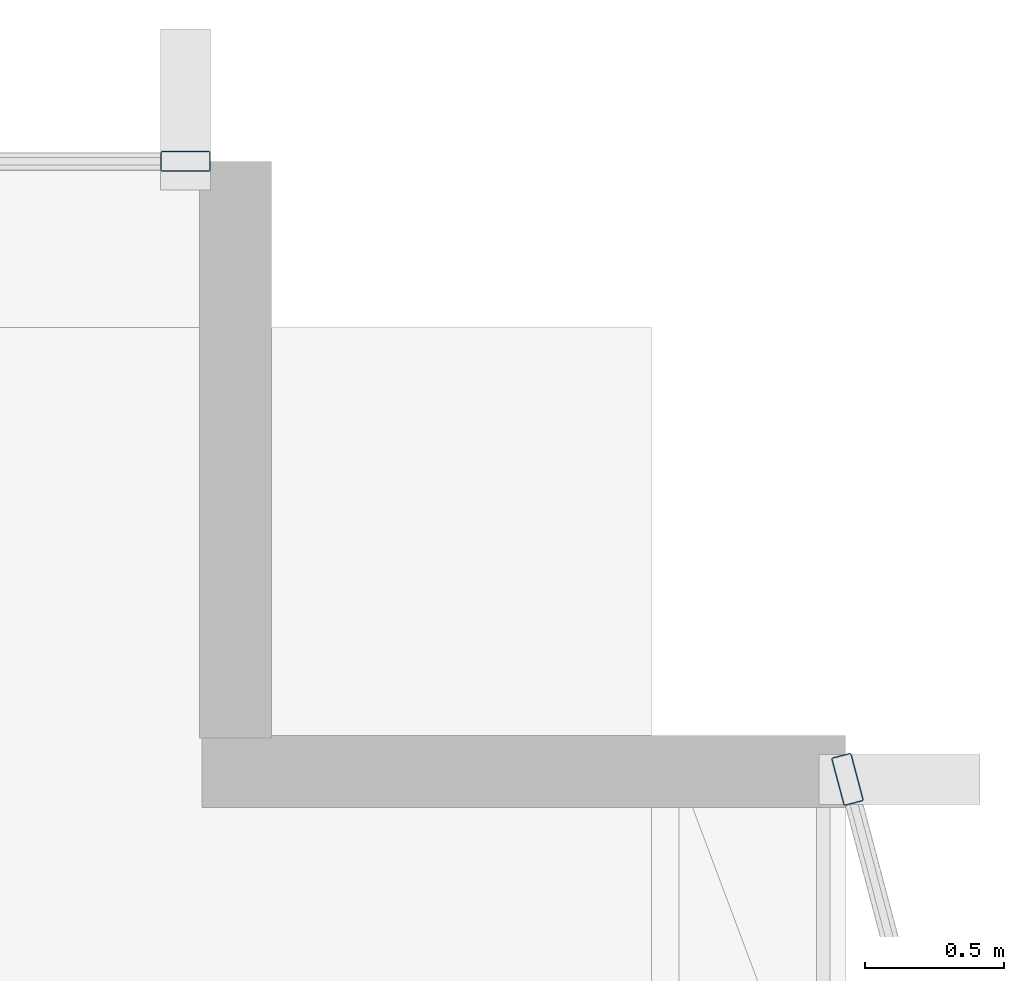
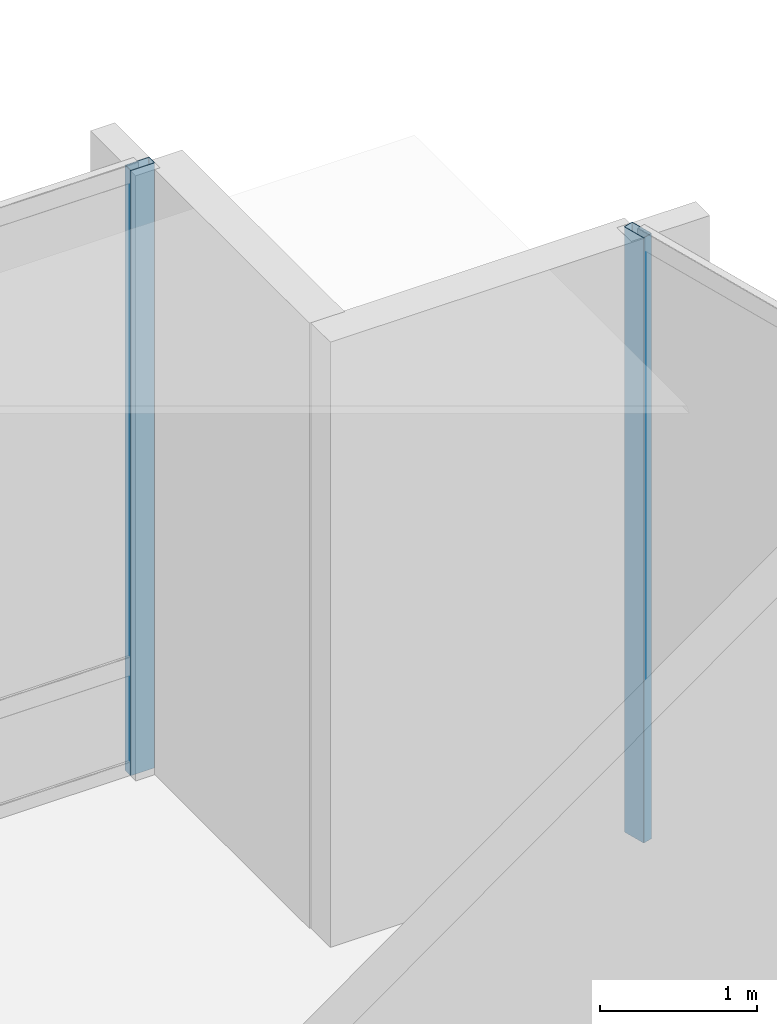
# One storey, part 14 of 28: 2 members, 2 elements without a shape of their own.
"""IFC4 building model written with IfcOpenShell, lengths in metres."""

from ifc_helpers import new_model, si_unit, direction, frame, origin, origin_2d, place, context, subcontext, project, spatial, hollow_rectangle, extrude, material, layer, layer_set, material_profile, profile_set, type_object, element, aggregate, save


model = new_model("IFC4")

# Units and contexts
model_context = context("Model", 3, precision=1e-05, world=origin(), true_north=direction((0.0, 1.0)))
body_context = subcontext(model_context, "Body", "Model", "MODEL_VIEW")
ifc_project = project(units=[si_unit("LENGTHUNIT", "METRE"), si_unit("AREAUNIT", "SQUARE_METRE"), si_unit("VOLUMEUNIT", "CUBIC_METRE"), si_unit("PLANEANGLEUNIT", "RADIAN"), si_unit("MASSUNIT", "GRAM", prefix="KILO")], contexts=[model_context])

# Site, building, storey
site_placement = place(None, origin())
site = spatial("IfcSite", under=ifc_project, at=site_placement, CompositionType="ELEMENT")
building_placement = place(site_placement, origin())
building = spatial("IfcBuilding", under=site, at=building_placement, Name="Solvaryn Broadcast Tower", CompositionType="ELEMENT")
storey_placement = place(building_placement, frame((0.0, 0.0, 201.199951171875)))
storey = spatial("IfcBuildingStorey", under=building, at=storey_placement, Name="L50", CompositionType="ELEMENT", Elevation=201.199951171875)

# Curtain wall, member
ifc_material_1 = material(Name="Aluminium and Terracotta Unitised Curtain Wall", Category="masonry")
ifc_layer = layer(ifc_material_1, 0.199951171875)
ifc_layer_set = layer_set([ifc_layer], Name="CW-SYS2-LOWMID")
curtain_wall_type = type_object("IfcCurtainWallType", Name="CW-SYS2-LOWMID", PredefinedType="NOTDEFINED", material=ifc_layer_set)
curtain_wall_1_placement = place(storey_placement, origin())
curtain_wall_1 = element("IfcCurtainWall", 1, at=curtain_wall_1_placement, inside=storey, type_object=curtain_wall_type, Name="L50 Curtain Wall ET1", PredefinedType="NOTDEFINED")
ifc_material_2 = material(Name="Anodised Aluminium 6063-T6", Category="aluminium")
ifc_material_profile = material_profile(ifc_material_2, hollow_rectangle(XDim=0.074951171875, YDim=0.179931640625, WallThickness=0.00390625, InnerFilletRadius=0.00390625, OuterFilletRadius=0.008056640625, at=origin_2d()))
ifc_profile_set = profile_set([ifc_material_profile], Name="Anodised Aluminium 6063-T6")
member_type = type_object("IfcMemberType", Name="CW-MUL-180", PredefinedType="MULLION", material=ifc_profile_set)
member_1_placement = place(storey_placement, frame((54.007568359375, 24.77099609375, 0.0), z_axis=(0.0, 0.0, 1.0), x_axis=(0.966705227863, 0.25589256031, 0.0)))
member_1 = element("IfcMember", 2, at=member_1_placement, type_object=member_type, Name="CWS2 mullion 1", PredefinedType="MULLION", context=body_context, shape_type="SweptSolid", body=[
    extrude(hollow_rectangle(XDim=0.074951171875, YDim=0.179931640625, WallThickness=0.00390625, InnerFilletRadius=0.00390625, OuterFilletRadius=0.008056640625, at=origin_2d()), origin(), (0.0, 0.0, 1.0), 4.719970703125),
])
aggregate(curtain_wall_1, [member_1])

curtain_wall_2_placement = place(storey_placement, origin())
curtain_wall_2 = element("IfcCurtainWall", 3, at=curtain_wall_2_placement, inside=storey, type_object=curtain_wall_type, Name="L50 Curtain Wall IH", PredefinedType="NOTDEFINED")
member_2_placement = place(storey_placement, frame((51.6201171875, 27.0, 0.0), z_axis=(0.0, 0.0, 1.0), x_axis=(0.0, 1.0, 0.0)))
member_2 = element("IfcMember", 4, at=member_2_placement, type_object=member_type, Name="CWS2 mullion 2", PredefinedType="MULLION", context=body_context, shape_type="SweptSolid", body=[
    extrude(hollow_rectangle(XDim=0.074951171875, YDim=0.179931640625, WallThickness=0.00390625, InnerFilletRadius=0.00390625, OuterFilletRadius=0.008056640625, at=origin_2d()), origin(), (0.0, 0.0, 1.0), 4.719970703125),
])
aggregate(curtain_wall_2, [member_2])

save(model, "model.ifc")
